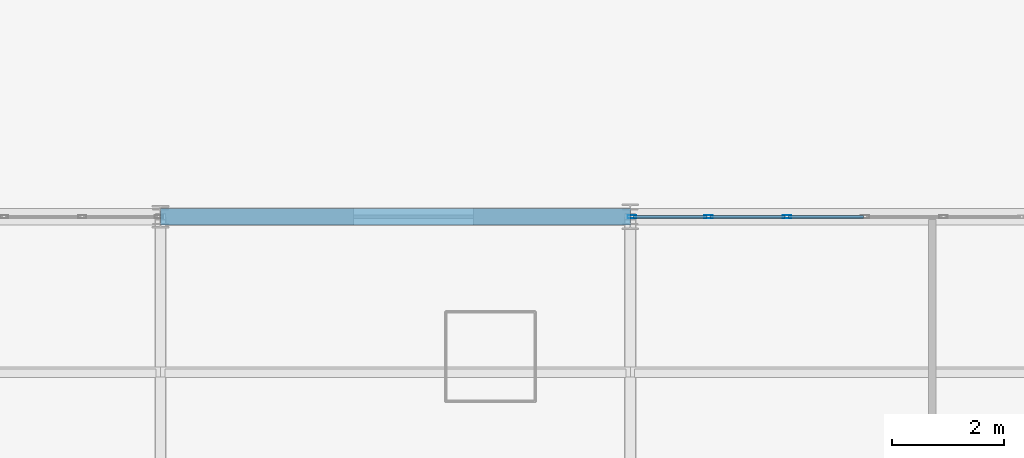
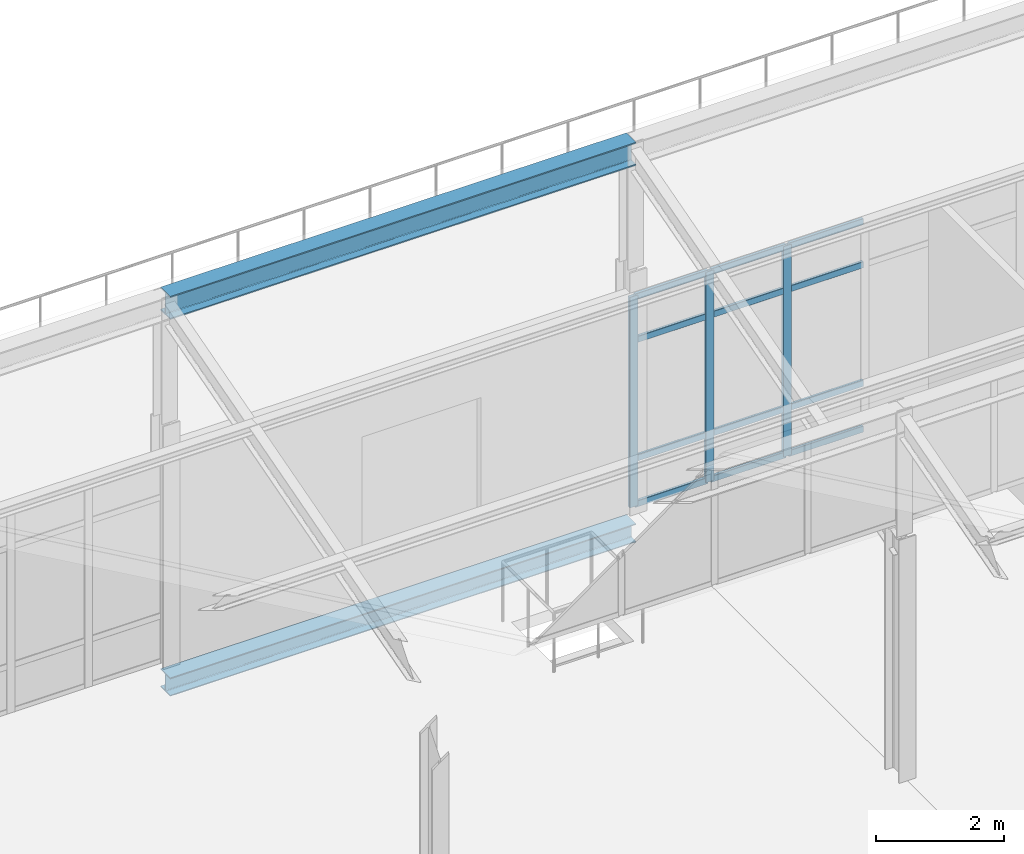
# One storey, part 42 of 53: 15 members, 2 beams, 1 element without a shape of its own.
"""IFC4 building model written with IfcOpenShell, lengths in metres."""

from ifc_helpers import new_model, si_unit, direction, frame, origin, origin_2d, place, context, subcontext, project, spatial, hollow_rectangle, i_section, extrude, material, layer, layer_set, material_profile, profile_set, type_object, element, aggregate, save


model = new_model("IFC4")

# Units and contexts
model_context = context("Model", 3, precision=1e-05, world=origin(), true_north=direction((0.0, 1.0)))
body_context = subcontext(model_context, "Body", "Model", "MODEL_VIEW")
ifc_project = project(units=[si_unit("LENGTHUNIT", "METRE"), si_unit("AREAUNIT", "SQUARE_METRE"), si_unit("VOLUMEUNIT", "CUBIC_METRE"), si_unit("PLANEANGLEUNIT", "RADIAN"), si_unit("MASSUNIT", "GRAM", prefix="KILO")], contexts=[model_context])

# Site, building, storey
site_placement = place(None, origin())
site = spatial("IfcSite", under=ifc_project, at=site_placement, CompositionType="ELEMENT")
building_placement = place(site_placement, origin())
building = spatial("IfcBuilding", under=site, at=building_placement, Name="Qalvenar Corner Mobility Hub", CompositionType="ELEMENT")
storey_placement = place(building_placement, frame((0.0, 0.0, 26.39990234375)))
storey = spatial("IfcBuildingStorey", under=building, at=storey_placement, Name="L06", CompositionType="ELEMENT", Elevation=26.39990234375)

# Beams
ifc_material_1 = material(Name="Steel S355", Category="steel")
ifc_material_profile_1 = material_profile(ifc_material_1, i_section(OverallWidth=0.300048828125, OverallDepth=0.43994140625, WebThickness=0.011474609375, FlangeThickness=0.02099609375, FilletRadius=0.027099609375, at=origin_2d()), Name="HEA450")
ifc_profile_set_1 = profile_set([ifc_material_profile_1], Name="Steel S355")
beam_type_1 = type_object("IfcBeamType", Name="BM-HEA450", PredefinedType="BEAM", material=ifc_profile_set_1)
beam_1_placement = place(storey_placement, frame((8.39990234375, 33.60009765625, 6.81005859375), z_axis=(1.0, 0.0, 0.0), x_axis=(0.0, 1.0, 0.0)))
element("IfcBeam", 1, at=beam_1_placement, inside=storey, type_object=beam_type_1, Name="Sawtooth Ridge Girder V3RDG-4-2", PredefinedType="BEAM", context=body_context, shape_type="SweptSolid", body=[
    extrude(i_section(OverallWidth=0.300048828125, OverallDepth=0.43994140625, WebThickness=0.011474609375, FlangeThickness=0.02099609375, FilletRadius=0.027099609375, at=origin_2d()), origin(), (0.0, 0.0, 1.0), 8.400146484375),
])
ifc_material_profile_2 = material_profile(ifc_material_1, i_section(OverallWidth=0.300048828125, OverallDepth=0.35009765625, WebThickness=0.010009765625, FlangeThickness=0.017578125, FilletRadius=0.027099609375, at=origin_2d()), Name="HEA360")
ifc_profile_set_2 = profile_set([ifc_material_profile_2], Name="Steel S355")
beam_type_2 = type_object("IfcBeamType", Name="BM-SPN360", PredefinedType="SPANDREL", material=ifc_profile_set_2)
beam_2_placement = place(storey_placement, frame((8.39990234375, 33.60009765625, -0.4169921875), z_axis=(1.0, 0.0, 0.0), x_axis=(0.0, 1.0, 0.0)))
element("IfcBeam", 2, at=beam_2_placement, inside=storey, type_object=beam_type_2, Name="Primary Steel Girder GX-3073", PredefinedType="SPANDREL", context=body_context, shape_type="SweptSolid", body=[
    extrude(i_section(OverallWidth=0.300048828125, OverallDepth=0.35009765625, WebThickness=0.010009765625, FlangeThickness=0.017578125, FilletRadius=0.027099609375, at=origin_2d()), origin(), (0.0, 0.0, 1.0), 8.400146484375),
])

# Curtain wall, members
ifc_material_2 = material(Name="Anodised Aluminium and Low-E Glazing", Category="aluminium")
ifc_layer = layer(ifc_material_2, 0.14990234375)
ifc_layer_set = layer_set([ifc_layer], Name="Anodised Aluminium and Low-E Glazing")
curtain_wall_type = type_object("IfcCurtainWallType", Name="CW-CIV-84X40", PredefinedType="NOTDEFINED", material=ifc_layer_set)
curtain_wall_placement = place(storey_placement, origin())
curtain_wall = element("IfcCurtainWall", 3, at=curtain_wall_placement, inside=storey, type_object=curtain_wall_type, Name="Glazed Curtain Wall CW-V3-L06-N2", PredefinedType="NOTDEFINED")
ifc_material_3 = material(Name="Anodised Aluminium 6063-T6", Category="aluminium")
ifc_material_profile_3 = material_profile(ifc_material_3, hollow_rectangle(XDim=0.06005859375, YDim=0.14990234375, WallThickness=0.00390625, InnerFilletRadius=0.00390625, OuterFilletRadius=0.008056640625, at=origin_2d()), Name="RHS150x60x4")
ifc_profile_set_3 = profile_set([ifc_material_profile_3], Name="Anodised Aluminium 6063-T6")
member_type_1 = type_object("IfcMemberType", Name="CW-MUL150", PredefinedType="MULLION", material=ifc_profile_set_3)
member_1_placement = place(storey_placement, frame((19.60009765625, 33.60009765625, 0.0), z_axis=(0.0, 0.0, 1.0), x_axis=(0.0, -1.0, 0.0)))
member_1 = element("IfcMember", 4, at=member_1_placement, type_object=member_type_1, Name="CW-05 mullion 5", PredefinedType="MULLION", context=body_context, shape_type="SweptSolid", body=[
    extrude(hollow_rectangle(XDim=0.06005859375, YDim=0.14990234375, WallThickness=0.00390625, InnerFilletRadius=0.00390625, OuterFilletRadius=0.008056640625, at=origin_2d()), origin(), (0.0, 0.0, 1.0), 4.010009765625),
])
member_2_placement = place(storey_placement, frame((18.199951171875, 33.60009765625, 0.0), z_axis=(0.0, 0.0, 1.0), x_axis=(0.0, -1.0, 0.0)))
member_2 = element("IfcMember", 5, at=member_2_placement, type_object=member_type_1, Name="CW-05 mullion 6", PredefinedType="MULLION", context=body_context, shape_type="SweptSolid", body=[
    extrude(hollow_rectangle(XDim=0.06005859375, YDim=0.14990234375, WallThickness=0.00390625, InnerFilletRadius=0.00390625, OuterFilletRadius=0.008056640625, at=origin_2d()), origin(), (0.0, 0.0, 1.0), 4.010009765625),
])
member_3_placement = place(storey_placement, frame((16.830078125, 33.60009765625, 0.0), z_axis=(0.0, 0.0, 1.0), x_axis=(0.0, -1.0, 0.0)))
member_3 = element("IfcMember", 6, at=member_3_placement, type_object=member_type_1, Name="CW-05 mullion 7", PredefinedType="MULLION", context=body_context, shape_type="SweptSolid", body=[
    extrude(hollow_rectangle(XDim=0.06005859375, YDim=0.14990234375, WallThickness=0.00390625, InnerFilletRadius=0.00390625, OuterFilletRadius=0.008056640625, at=origin_2d()), origin(), (0.0, 0.0, 1.0), 4.010009765625),
])
ifc_material_profile_4 = material_profile(ifc_material_3, hollow_rectangle(XDim=0.054931640625, YDim=0.1201171875, WallThickness=0.00341796875, InnerFilletRadius=0.00341796875, OuterFilletRadius=0.007080078125, at=origin_2d()), Name="RHS120x55x3.5")
ifc_profile_set_4 = profile_set([ifc_material_profile_4], Name="Anodised Aluminium 6063-T6")
member_type_2 = type_object("IfcMemberType", Name="CW-TRN120", PredefinedType="USERDEFINED", material=ifc_profile_set_4)
member_4_placement = place(storey_placement, frame((20.969970703125, 33.60009765625, 0.027587890625), z_axis=(-1.0, 0.0, 0.0), x_axis=(0.0, -1.0, 0.0)))
member_4 = element("IfcMember", 7, at=member_4_placement, type_object=member_type_2, Name="CW-05 transom 4.1", ObjectType="TRANSOM", PredefinedType="USERDEFINED", context=body_context, shape_type="SweptSolid", body=[
    extrude(hollow_rectangle(XDim=0.054931640625, YDim=0.1201171875, WallThickness=0.00341796875, InnerFilletRadius=0.00341796875, OuterFilletRadius=0.007080078125, at=origin_2d()), origin(), (0.0, 0.0, 1.0), 1.340087890625),
])
member_5_placement = place(storey_placement, frame((20.969970703125, 33.60009765625, 0.900146484375), z_axis=(-1.0, 0.0, 0.0), x_axis=(0.0, -1.0, 0.0)))
member_5 = element("IfcMember", 8, at=member_5_placement, type_object=member_type_2, Name="CW-05 transom 4.2", ObjectType="TRANSOM", PredefinedType="USERDEFINED", context=body_context, shape_type="SweptSolid", body=[
    extrude(hollow_rectangle(XDim=0.054931640625, YDim=0.1201171875, WallThickness=0.00341796875, InnerFilletRadius=0.00341796875, OuterFilletRadius=0.007080078125, at=origin_2d()), origin(), (0.0, 0.0, 1.0), 1.340087890625),
])
member_6_placement = place(storey_placement, frame((20.969970703125, 33.60009765625, 3.16015625), z_axis=(-1.0, 0.0, 0.0), x_axis=(0.0, -1.0, 0.0)))
member_6 = element("IfcMember", 9, at=member_6_placement, type_object=member_type_2, Name="CW-05 transom 4.3", ObjectType="TRANSOM", PredefinedType="USERDEFINED", context=body_context, shape_type="SweptSolid", body=[
    extrude(hollow_rectangle(XDim=0.054931640625, YDim=0.1201171875, WallThickness=0.00341796875, InnerFilletRadius=0.00341796875, OuterFilletRadius=0.007080078125, at=origin_2d()), origin(), (0.0, 0.0, 1.0), 1.340087890625),
])
member_7_placement = place(storey_placement, frame((20.969970703125, 33.60009765625, 3.982666015625), z_axis=(-1.0, 0.0, 0.0), x_axis=(0.0, -1.0, 0.0)))
member_7 = element("IfcMember", 10, at=member_7_placement, type_object=member_type_2, Name="CW-05 transom 4.4", ObjectType="TRANSOM", PredefinedType="USERDEFINED", context=body_context, shape_type="SweptSolid", body=[
    extrude(hollow_rectangle(XDim=0.054931640625, YDim=0.1201171875, WallThickness=0.00341796875, InnerFilletRadius=0.00341796875, OuterFilletRadius=0.007080078125, at=origin_2d()), origin(), (0.0, 0.0, 1.0), 1.340087890625),
])
member_8_placement = place(storey_placement, frame((19.570068359375, 33.60009765625, 0.027587890625), z_axis=(-1.0, 0.0, 0.0), x_axis=(0.0, -1.0, 0.0)))
member_8 = element("IfcMember", 11, at=member_8_placement, type_object=member_type_2, Name="CW-05 transom 5.1", ObjectType="TRANSOM", PredefinedType="USERDEFINED", context=body_context, shape_type="SweptSolid", body=[
    extrude(hollow_rectangle(XDim=0.054931640625, YDim=0.1201171875, WallThickness=0.00341796875, InnerFilletRadius=0.00341796875, OuterFilletRadius=0.007080078125, at=origin_2d()), origin(), (0.0, 0.0, 1.0), 1.340087890625),
])
member_9_placement = place(storey_placement, frame((19.570068359375, 33.60009765625, 0.900146484375), z_axis=(-1.0, 0.0, 0.0), x_axis=(0.0, -1.0, 0.0)))
member_9 = element("IfcMember", 12, at=member_9_placement, type_object=member_type_2, Name="CW-05 transom 5.2", ObjectType="TRANSOM", PredefinedType="USERDEFINED", context=body_context, shape_type="SweptSolid", body=[
    extrude(hollow_rectangle(XDim=0.054931640625, YDim=0.1201171875, WallThickness=0.00341796875, InnerFilletRadius=0.00341796875, OuterFilletRadius=0.007080078125, at=origin_2d()), origin(), (0.0, 0.0, 1.0), 1.340087890625),
])
member_10_placement = place(storey_placement, frame((19.570068359375, 33.60009765625, 3.16015625), z_axis=(-1.0, 0.0, 0.0), x_axis=(0.0, -1.0, 0.0)))
member_10 = element("IfcMember", 13, at=member_10_placement, type_object=member_type_2, Name="CW-05 transom 5.3", ObjectType="TRANSOM", PredefinedType="USERDEFINED", context=body_context, shape_type="SweptSolid", body=[
    extrude(hollow_rectangle(XDim=0.054931640625, YDim=0.1201171875, WallThickness=0.00341796875, InnerFilletRadius=0.00341796875, OuterFilletRadius=0.007080078125, at=origin_2d()), origin(), (0.0, 0.0, 1.0), 1.340087890625),
])
member_11_placement = place(storey_placement, frame((19.570068359375, 33.60009765625, 3.982666015625), z_axis=(-1.0, 0.0, 0.0), x_axis=(0.0, -1.0, 0.0)))
member_11 = element("IfcMember", 14, at=member_11_placement, type_object=member_type_2, Name="CW-05 transom 5.4", ObjectType="TRANSOM", PredefinedType="USERDEFINED", context=body_context, shape_type="SweptSolid", body=[
    extrude(hollow_rectangle(XDim=0.054931640625, YDim=0.1201171875, WallThickness=0.00341796875, InnerFilletRadius=0.00341796875, OuterFilletRadius=0.007080078125, at=origin_2d()), origin(), (0.0, 0.0, 1.0), 1.340087890625),
])
member_12_placement = place(storey_placement, frame((18.169921875, 33.60009765625, 0.027587890625), z_axis=(-1.0, 0.0, 0.0), x_axis=(0.0, -1.0, 0.0)))
member_12 = element("IfcMember", 15, at=member_12_placement, type_object=member_type_2, Name="CW-05 transom 6.1", ObjectType="TRANSOM", PredefinedType="USERDEFINED", context=body_context, shape_type="SweptSolid", body=[
    extrude(hollow_rectangle(XDim=0.054931640625, YDim=0.1201171875, WallThickness=0.00341796875, InnerFilletRadius=0.00341796875, OuterFilletRadius=0.007080078125, at=origin_2d()), origin(), (0.0, 0.0, 1.0), 1.309814453125),
])
member_13_placement = place(storey_placement, frame((18.169921875, 33.60009765625, 0.900146484375), z_axis=(-1.0, 0.0, 0.0), x_axis=(0.0, -1.0, 0.0)))
member_13 = element("IfcMember", 16, at=member_13_placement, type_object=member_type_2, Name="CW-05 transom 6.2", ObjectType="TRANSOM", PredefinedType="USERDEFINED", context=body_context, shape_type="SweptSolid", body=[
    extrude(hollow_rectangle(XDim=0.054931640625, YDim=0.1201171875, WallThickness=0.00341796875, InnerFilletRadius=0.00341796875, OuterFilletRadius=0.007080078125, at=origin_2d()), origin(), (0.0, 0.0, 1.0), 1.309814453125),
])
member_14_placement = place(storey_placement, frame((18.169921875, 33.60009765625, 3.16015625), z_axis=(-1.0, 0.0, 0.0), x_axis=(0.0, -1.0, 0.0)))
member_14 = element("IfcMember", 17, at=member_14_placement, type_object=member_type_2, Name="CW-05 transom 6.3", ObjectType="TRANSOM", PredefinedType="USERDEFINED", context=body_context, shape_type="SweptSolid", body=[
    extrude(hollow_rectangle(XDim=0.054931640625, YDim=0.1201171875, WallThickness=0.00341796875, InnerFilletRadius=0.00341796875, OuterFilletRadius=0.007080078125, at=origin_2d()), origin(), (0.0, 0.0, 1.0), 1.309814453125),
])
member_15_placement = place(storey_placement, frame((18.169921875, 33.60009765625, 3.982666015625), z_axis=(-1.0, 0.0, 0.0), x_axis=(0.0, -1.0, 0.0)))
member_15 = element("IfcMember", 18, at=member_15_placement, type_object=member_type_2, Name="CW-05 transom 6.4", ObjectType="TRANSOM", PredefinedType="USERDEFINED", context=body_context, shape_type="SweptSolid", body=[
    extrude(hollow_rectangle(XDim=0.054931640625, YDim=0.1201171875, WallThickness=0.00341796875, InnerFilletRadius=0.00341796875, OuterFilletRadius=0.007080078125, at=origin_2d()), origin(), (0.0, 0.0, 1.0), 1.309814453125),
])
aggregate(curtain_wall, [member_1, member_2, member_3, member_4, member_5, member_6, member_7, member_8, member_9, member_10, member_11, member_12, member_13, member_14, member_15])

save(model, "model.ifc")
